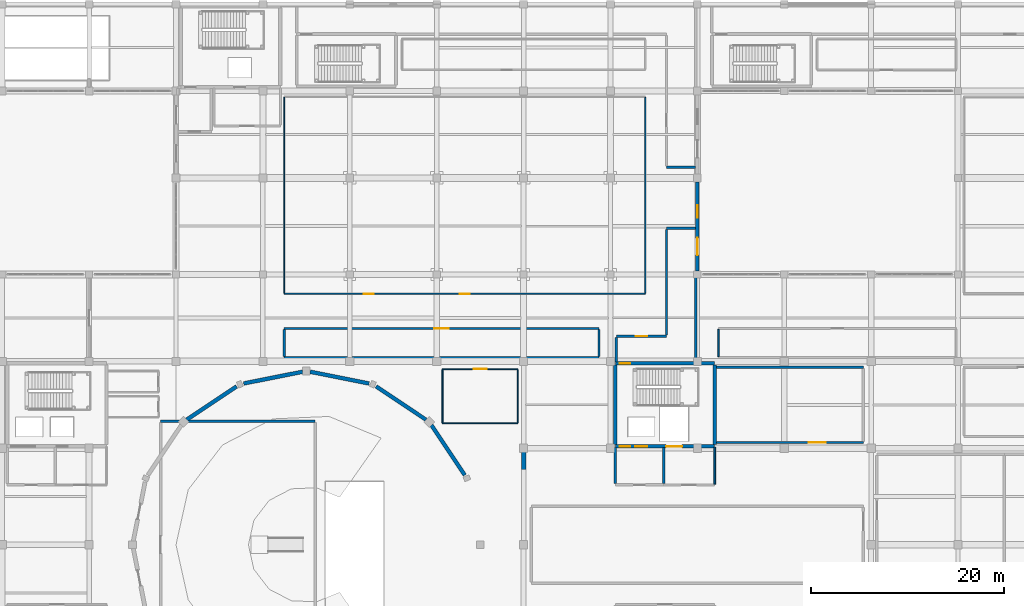
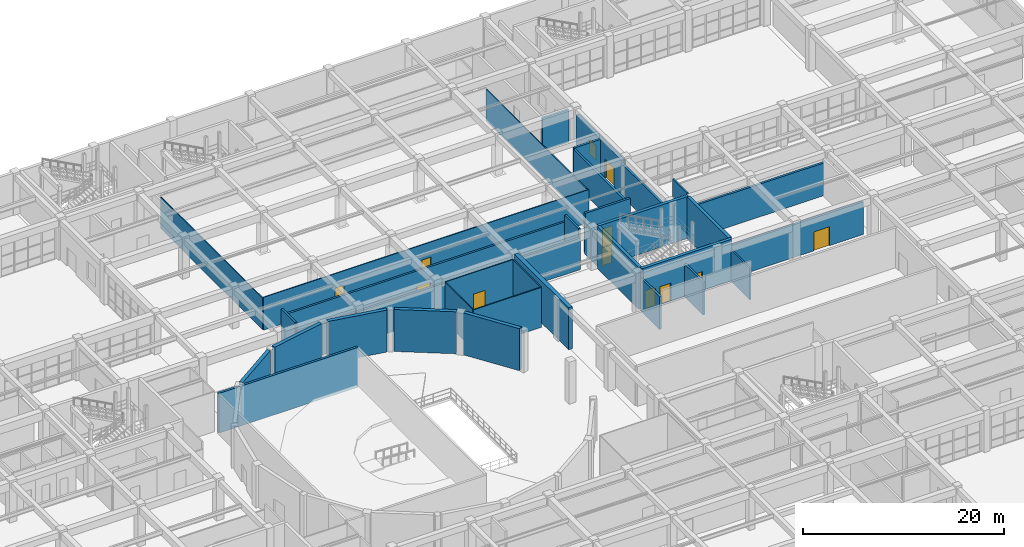
# One storey, part 108 of 128: 35 walls, 11 doors, 1 window, 12 openings.
"""IFC4 building model written with IfcOpenShell, lengths in metres."""

import ifcopenshell
import ifcopenshell.guid

model = None  # the IFC model being written
_history = None  # IfcOwnerHistory: only IFC2X3 demands one
_inside = {}  # id of a spatial element -> (the spatial element, [elements in it])
_under = {}  # id of a project, library or spatial element -> (it, [spatial elements below it])
_declared = {}  # id of a project -> (the project, [libraries it declares])
_typed = {}  # id of a type object -> (the type object, [elements of that type])
_made_of = {}  # id of a material, layer set ... -> (it, [elements and type objects made of it])


def new_model(schema):
    """Start an empty IFC model of exactly this schema.

    Asked for "IFC4X3", IfcOpenShell would pick the latest addendum, in which some entities
    have other attributes; the version numbers below select the first issue.
    IFC2X3 requires an IfcOwnerHistory on every rooted entity: one is made here for all.
    """
    global model, _history
    if schema == "IFC4X3":
        model = ifcopenshell.file(schema_version=(4, 3, 0, 0))
    else:
        model = ifcopenshell.file(schema=schema)
    _inside.clear()
    _under.clear()
    _declared.clear()
    _typed.clear()
    _made_of.clear()
    _history = None
    if model.schema == "IFC2X3":
        org = make("IfcOrganization", Name="unknown")
        user = make(
            "IfcPersonAndOrganization",
            ThePerson=make("IfcPerson", FamilyName="unknown"),
            TheOrganization=org,
        )
        app = make(
            "IfcApplication",
            ApplicationDeveloper=org,
            Version="unknown",
            ApplicationFullName="unknown",
            ApplicationIdentifier="unknown",
        )
        _history = make(
            "IfcOwnerHistory",
            OwningUser=user,
            OwningApplication=app,
            ChangeAction="ADDED",
            CreationDate=0,
        )
    return model


def make(cls, **values):
    """One entity of the class cls with the attributes given. An attribute that is None is left unset."""
    return model.create_entity(
        cls, **{name: value for name, value in values.items() if value is not None}
    )


def rooted(cls, **values):
    """An entity with a GlobalId (a new one), such as an element, a storey or a relation."""
    return make(cls, GlobalId=ifcopenshell.guid.new(), OwnerHistory=_history, **values)


def si_unit(unit_type, name, prefix=None):
    """IfcSIUnit, for example si_unit("LENGTHUNIT", "METRE", prefix="MILLI")."""
    return make("IfcSIUnit", UnitType=unit_type, Prefix=prefix, Name=name)


def assignment(units):
    """IfcUnitAssignment: the units of a project."""
    return None if units is None else make("IfcUnitAssignment", Units=units)


def point(xyz):
    """IfcCartesianPoint."""
    return None if xyz is None else make("IfcCartesianPoint", Coordinates=xyz)


def direction(xyz):
    """IfcDirection."""
    return None if xyz is None else make("IfcDirection", DirectionRatios=xyz)


def frame(location, z_axis=None, x_axis=None):
    """IfcAxis2Placement3D, a coordinate frame: its origin and axes. An axis left out is left unset."""
    return make(
        "IfcAxis2Placement3D",
        Location=point(location),
        Axis=direction(z_axis),
        RefDirection=direction(x_axis),
    )


def frame_2d(location, x_axis=None):
    """IfcAxis2Placement2D, a coordinate frame in the plane: its origin and x axis."""
    return make(
        "IfcAxis2Placement2D", Location=point(location), RefDirection=direction(x_axis)
    )


def origin():
    """The frame at (0, 0, 0) with its axes left unset."""
    return frame((0.0, 0.0, 0.0))


def place(relative_to, where):
    """IfcLocalPlacement: puts the frame where relative to a parent placement (None: the world)."""
    return make(
        "IfcLocalPlacement", PlacementRelTo=relative_to, RelativePlacement=where
    )


def context(
    kind, dimensions, precision=None, world=None, true_north=None, identifier=None
):
    """IfcGeometricRepresentationContext, for example the 3D "Model" context."""
    return make(
        "IfcGeometricRepresentationContext",
        ContextIdentifier=identifier,
        ContextType=kind,
        CoordinateSpaceDimension=dimensions,
        Precision=precision,
        WorldCoordinateSystem=world,
        TrueNorth=true_north,
    )


def subcontext(parent, identifier, kind, view, scale=None):
    """IfcGeometricRepresentationSubContext, for example "Body" below "Model"."""
    return make(
        "IfcGeometricRepresentationSubContext",
        ContextIdentifier=identifier,
        ContextType=kind,
        ParentContext=parent,
        TargetScale=scale,
        TargetView=view,
    )


def project(units=None, contexts=None):
    """IfcProject with its units and contexts."""
    return rooted(
        "IfcProject",
        Name="project",
        RepresentationContexts=contexts,
        UnitsInContext=assignment(units),
    )


def spatial(cls, under=None, at=None, **own):
    """A site, building, storey or space (cls), placed at a placement, below another one or the project."""
    s = rooted(cls, ObjectPlacement=at, **own)
    if under is not None:
        _under.setdefault(under.id(), (under, []))[1].append(s)
    return s


def profile(cls, at=None, kind="AREA", **sizes):
    """A parametric profile (cls). Its sizes go by their IFC names, for example OverallWidth=200.0."""
    return make(cls, ProfileType=kind, Position=at, **sizes)


def rectangle(**sizes):
    """IfcRectangleProfileDef."""
    return profile("IfcRectangleProfileDef", **sizes)


def extrude(swept, where, along, depth):
    """IfcExtrudedAreaSolid: the profile swept, set in the frame where, extruded along a direction by depth."""
    return make(
        "IfcExtrudedAreaSolid",
        SweptArea=swept,
        Position=where,
        ExtrudedDirection=direction(along),
        Depth=depth,
    )


def shape(context_of_items, identifier, shape_type, items):
    """IfcShapeRepresentation: the items that make up one representation, for example the "Body"."""
    return make(
        "IfcShapeRepresentation",
        ContextOfItems=context_of_items,
        RepresentationIdentifier=identifier,
        RepresentationType=shape_type,
        Items=items,
    )


def material(Name=None, Category=None):
    """IfcMaterial."""
    return make("IfcMaterial", Name=Name, Category=Category)


def layer(
    of_material, thickness, ventilated=None, Name=None, Category=None, Priority=None
):
    """IfcMaterialLayer: one layer of a wall or slab, of a material (None: an air gap)."""
    return make(
        "IfcMaterialLayer",
        Material=of_material,
        LayerThickness=thickness,
        IsVentilated=ventilated,
        Name=Name,
        Category=Category,
        Priority=Priority,
    )


def layer_set(layers, Name=None):
    """IfcMaterialLayerSet."""
    return make("IfcMaterialLayerSet", MaterialLayers=layers, LayerSetName=Name)


def made_of(thing, what):
    """Note that an element or type object is made of a material, layer set ...; save() writes the relation."""
    if what is not None:
        _made_of.setdefault(what.id(), (what, []))[1].append(thing)
    return thing


def type_object(cls, material=None, **own):
    """A type object (cls), such as IfcWallType, which elements share."""
    return made_of(rooted(cls, **own), material)


def element(
    cls,
    number,
    at=None,
    inside=None,
    cuts=None,
    type_object=None,
    material=None,
    context=None,
    identifier="Body",
    shape_type=None,
    held_by="IfcProductDefinitionShape",
    body=None,
    shapes=None,
    **own,
):
    """One element of the class cls, such as IfcWall. Its Tag is "e" and its number.

    at: its placement. inside: the storey or other place that contains it. cuts: it is an
    opening in that element (IfcRelVoidsElement). A single representation is given by context,
    identifier, shape_type and body (its items); several are given by shapes. held_by: the class
    of the entity that holds the representations. save() writes the other relations.
    """
    e = rooted(cls, Tag="e%d" % number, ObjectPlacement=at, **own)
    if body is not None:
        shapes = [shape(context, identifier, shape_type, body)]
    if shapes is not None:
        e.Representation = make(held_by, Representations=shapes)
    if inside is not None:
        _inside.setdefault(inside.id(), (inside, []))[1].append(e)
    if cuts is not None:
        rooted(
            "IfcRelVoidsElement", RelatingBuildingElement=cuts, RelatedOpeningElement=e
        )
    if type_object is not None:
        _typed.setdefault(type_object.id(), (type_object, []))[1].append(e)
    return made_of(e, material)


def fill(opening, filler):
    """IfcRelFillsElement: the door or window that sits in an opening."""
    return rooted(
        "IfcRelFillsElement",
        RelatingOpeningElement=opening,
        RelatedBuildingElement=filler,
    )


def aggregate(whole, parts):
    """IfcRelAggregates: a whole, such as a stair, and the parts it consists of."""
    return rooted("IfcRelAggregates", RelatingObject=whole, RelatedObjects=parts)


def save(model, path):
    """Write the relations noted so far, then the file.

    IfcRelAggregates (storeys below a building ...), IfcRelContainedInSpatialStructure (elements
    in a storey), IfcRelDefinesByType, IfcRelAssociatesMaterial and IfcRelDeclares: one each for
    every whole, place, type object, material and project.
    """
    for whole, parts in _under.values():
        aggregate(whole, parts)
    for where, things in _inside.values():
        rooted(
            "IfcRelContainedInSpatialStructure",
            RelatedElements=things,
            RelatingStructure=where,
        )
    for kind, things in _typed.values():
        rooted("IfcRelDefinesByType", RelatedObjects=things, RelatingType=kind)
    for what, things in _made_of.values():
        rooted("IfcRelAssociatesMaterial", RelatedObjects=things, RelatingMaterial=what)
    for by, libraries in _declared.values():
        rooted("IfcRelDeclares", RelatingContext=by, RelatedDefinitions=libraries)
    model.write(path)


model = new_model("IFC4")

# Units and contexts
model_context = context("Model", 3, precision=1e-05, world=origin(), true_north=direction((0.0, 1.0)))
body_context = subcontext(model_context, "Body", "Model", "MODEL_VIEW")
ifc_project = project(units=[si_unit("LENGTHUNIT", "METRE"), si_unit("AREAUNIT", "SQUARE_METRE"), si_unit("VOLUMEUNIT", "CUBIC_METRE"), si_unit("PLANEANGLEUNIT", "RADIAN"), si_unit("MASSUNIT", "GRAM", prefix="KILO")], contexts=[model_context])

# Site, building, storey
site_placement = place(None, origin())
site = spatial("IfcSite", under=ifc_project, at=site_placement, CompositionType="ELEMENT")
building_placement = place(site_placement, origin())
building = spatial("IfcBuilding", under=site, at=building_placement, Name="Miravela Opera House", CompositionType="ELEMENT")
storey_placement = place(building_placement, origin())
storey = spatial("IfcBuildingStorey", under=building, at=storey_placement, Name="L00", CompositionType="ELEMENT", Elevation=0.0)

# Wall, openings, door, window
ifc_material_1 = material(Name="Dark Guatemalan volcanic basalt stone ashlar", Category="masonry")
ifc_layer_1 = layer(ifc_material_1, 0.360107421875)
ifc_layer_set_1 = layer_set([ifc_layer_1])
wall_type_1 = type_object("IfcWallType", Name="ARC-EW-BASALT-360", PredefinedType="STANDARD", material=ifc_layer_set_1)
wall_1_placement = place(storey_placement, frame((117.0, 84.375, 0.0), z_axis=(0.0, 0.0, 1.0), x_axis=(0.0, 1.0, 0.0)))
wall_1 = element("IfcWall", 1, at=wall_1_placement, inside=storey, type_object=wall_type_1, Name="Stair ST-03 Northeast Court Exit Wall", PredefinedType="STANDARD", context=body_context, shape_type="SweptSolid", body=[
    extrude(rectangle(XDim=9.22509765625, YDim=0.360107421875, at=frame_2d((4.612548828125, 0.0))), origin(), (0.0, 0.0, 1.0), 4.179931640625),
])
opening_1_placement = place(wall_1_placement, frame((1.625, 0.0, 0.0)))
opening_1 = element("IfcOpeningElement", 2, at=opening_1_placement, cuts=wall_1, Name="Opening EX-02", PredefinedType="OPENING", context=body_context, shape_type="SweptSolid", body=[
    extrude(rectangle(XDim=1.800048828125, YDim=2.300048828125, at=frame_2d((0.89990234375, 1.14990234375))), frame((0.0, 0.18994140625, 0.0), z_axis=(0.0, -1.0, 0.0), x_axis=(1.0, 0.0, 0.0)), (0.0, 0.0, 1.0), 0.380126953125),
])
opening_2_placement = place(wall_1_placement, frame((5.47509765625, 0.0, 0.89990234375)))
opening_2 = element("IfcOpeningElement", 3, at=opening_2_placement, cuts=wall_1, Name="Opening W-30", PredefinedType="OPENING", context=body_context, shape_type="SweptSolid", body=[
    extrude(rectangle(XDim=1.300048828125, YDim=1.719970703125, at=frame_2d((0.64990234375, 0.85986328125))), frame((0.0, 0.18994140625, 0.0), z_axis=(0.0, -1.0, 0.0), x_axis=(1.0, 0.0, 0.0)), (0.0, 0.0, 1.0), 0.380126953125),
])
ifc_material_2 = material(Name="Anodised architectural bronze aluminium 6063-T6", Category="aluminium")
door_type_1 = type_object("IfcDoorType", Name="ARC-EXD-1800X2300", OperationType="NOTDEFINED", PredefinedType="DOOR", material=ifc_material_2)
door_1_placement = place(opening_1_placement, frame((1.800048828125, 0.0, 0.0), z_axis=(0.0, 0.0, 1.0), x_axis=(-1.0, 0.0, 0.0)))
door_1 = element("IfcDoor", 4, at=door_1_placement, inside=storey, type_object=door_type_1, Name="Stair ST-03 Northeast Court Exit EXD-L00-026", OperationType="DOUBLE_DOOR_SINGLE_SWING", OverallHeight=2.300048828125, OverallWidth=1.800048828125, PredefinedType="DOOR", context=body_context, shape_type="SweptSolid", body=[
    extrude(rectangle(XDim=1.800048828125, YDim=2.300048828125, at=frame_2d((0.89990234375, 1.14990234375))), frame((0.0, 0.02490234375, 0.0), z_axis=(0.0, -1.0, 0.0), x_axis=(1.0, 0.0, 0.0)), (0.0, 0.0, 1.0), 0.050048828125),
])
fill(opening_1, door_1)
ifc_material_3 = material(Name="Bronze-anodised aluminium and acoustic low-E glass", Category="aluminium")
window_type = type_object("IfcWindowType", Name="ARC-WIN-30", PartitioningType="SINGLE_PANEL", PredefinedType="WINDOW", material=ifc_material_3)
window_placement = place(opening_2_placement, origin())
window = element("IfcWindow", 5, at=window_placement, inside=storey, type_object=window_type, Name="Window W-30 #021", OverallHeight=1.719970703125, OverallWidth=1.300048828125, PartitioningType="SINGLE_PANEL", PredefinedType="WINDOW", context=body_context, shape_type="SweptSolid", body=[
    extrude(rectangle(XDim=1.300048828125, YDim=1.719970703125, at=frame_2d((0.64990234375, 0.85986328125))), frame((0.0, 0.030029296875, 0.0), z_axis=(0.0, -1.0, 0.0), x_axis=(1.0, 0.0, 0.0)), (0.0, 0.0, 1.0), 0.06005859375),
])
fill(opening_2, window)

# Wall, openings, doors
ifc_material_4 = material(Name="Double-layer acoustic gypsum partition")
ifc_layer_2 = layer(ifc_material_4, 0.110107421875)
ifc_layer_set_2 = layer_set([ifc_layer_2])
wall_type_2 = type_object("IfcWallType", Name="ARC-PT-110", PredefinedType="PARTITIONING", material=ifc_layer_set_2)
wall_2_placement = place(storey_placement, frame((74.199951171875, 82.0, 0.0), z_axis=(0.0, 0.0, 1.0), x_axis=(1.0, 0.0, 0.0)))
wall_2 = element("IfcWall", 6, at=wall_2_placement, inside=storey, type_object=wall_type_2, Name="Production Rehearsal Stage Partition South", PredefinedType="PARTITIONING", context=body_context, shape_type="SweptSolid", body=[
    extrude(rectangle(XDim=37.400146484375, YDim=0.110107421875, at=frame_2d((18.7001953125, 0.0))), origin(), (0.0, 0.0, 1.0), 3.97998046875),
])
opening_3_placement = place(wall_2_placement, frame((18.179931640625, 0.0, 0.0)))
opening_3 = element("IfcOpeningElement", 7, at=opening_3_placement, cuts=wall_2, Name="Opening ID-17", PredefinedType="OPENING", context=body_context, shape_type="SweptSolid", body=[
    extrude(rectangle(XDim=1.0400390625, YDim=2.139892578125, at=frame_2d((0.52001953125, 1.06982421875))), frame((0.0, 0.06494140625, 0.0), z_axis=(0.0, -1.0, 0.0), x_axis=(1.0, 0.0, 0.0)), (0.0, 0.0, 1.0), 0.130126953125),
])
opening_4_placement = place(wall_2_placement, frame((8.22802734375, 0.0, 0.0)))
opening_4 = element("IfcOpeningElement", 8, at=opening_4_placement, cuts=wall_2, Name="Opening ID-18", PredefinedType="OPENING", context=body_context, shape_type="SweptSolid", body=[
    extrude(rectangle(XDim=1.0400390625, YDim=2.219970703125, at=frame_2d((0.52001953125, 1.10986328125))), frame((0.0, 0.06494140625, 0.0), z_axis=(0.0, -1.0, 0.0), x_axis=(1.0, 0.0, 0.0)), (0.0, 0.0, 1.0), 0.130126953125),
])
ifc_material_5 = material(Name="Hardwood acoustic timber door leaf", Category="wood")
door_type_2 = type_object("IfcDoorType", Name="ARC-IDR-104X214", OperationType="NOTDEFINED", PredefinedType="DOOR", material=ifc_material_5)
door_2_placement = place(opening_3_placement, frame((1.0400390625, 0.0, 0.0), z_axis=(0.0, 0.0, 1.0), x_axis=(-1.0, 0.0, 0.0)))
door_2 = element("IfcDoor", 9, at=door_2_placement, inside=storey, type_object=door_type_2, Name="Production Rehearsal Stage Entry Door IDR-L00-0116", OperationType="SINGLE_SWING_LEFT", OverallHeight=2.139892578125, OverallWidth=1.0400390625, PredefinedType="DOOR", context=body_context, shape_type="SweptSolid", body=[
    extrude(rectangle(XDim=1.0400390625, YDim=2.139892578125, at=frame_2d((0.52001953125, 1.06982421875))), frame((0.0, 0.02490234375, 0.0), z_axis=(0.0, -1.0, 0.0), x_axis=(1.0, 0.0, 0.0)), (0.0, 0.0, 1.0), 0.050048828125),
])
fill(opening_3, door_2)
door_type_3 = type_object("IfcDoorType", Name="ARC-IDR-104X222", OperationType="NOTDEFINED", PredefinedType="DOOR", material=ifc_material_5)
door_3_placement = place(opening_4_placement, frame((1.0400390625, 0.0, 0.0), z_axis=(0.0, 0.0, 1.0), x_axis=(-1.0, 0.0, 0.0)))
door_3 = element("IfcDoor", 10, at=door_3_placement, inside=storey, type_object=door_type_3, Name="Production Rehearsal Stage Secondary Exit Door IDR-L00-0117", OperationType="SINGLE_SWING_RIGHT", OverallHeight=2.219970703125, OverallWidth=1.0400390625, PredefinedType="DOOR", context=body_context, shape_type="SweptSolid", body=[
    extrude(rectangle(XDim=1.0400390625, YDim=2.219970703125, at=frame_2d((0.52001953125, 1.10986328125))), frame((0.0, 0.02490234375, 0.0), z_axis=(0.0, -1.0, 0.0), x_axis=(1.0, 0.0, 0.0)), (0.0, 0.0, 1.0), 0.050048828125),
])
fill(opening_4, door_3)

# Walls
for number, where, z_axis, x_axis, name in (
    (11, (74.199951171875, 82.054931640625, 0.0), (0.0, 0.0, 1.0), (0.0, 1.0, 0.0), "Production Rehearsal Stage Partition West"),
    (12, (111.60009765625, 82.054931640625, 0.0), (0.0, 0.0, 1.0), (0.0, 1.0, 0.0), "Production Rehearsal Stage Partition East"),
):
    element("IfcWall", number, at=place(storey_placement, frame(where, z_axis=z_axis, x_axis=x_axis)), inside=storey, type_object=wall_type_2, Name=name, PredefinedType="PARTITIONING", context=body_context, shape_type="SweptSolid", body=[
        extrude(rectangle(XDim=20.2900390625, YDim=0.110107421875, at=frame_2d((10.14501953125, 0.0))), origin(), (0.0, 0.0, 1.0), 3.830078125),
    ])
wall_3_placement = place(storey_placement, frame((90.60009765625, 68.60009765625, 0.0), z_axis=(0.0, 0.0, 1.0), x_axis=(1.0, 0.0, 0.0)))
element("IfcWall", 13, at=wall_3_placement, inside=storey, type_object=wall_type_2, Name="Orchestral Harp and Celesta Studio Partition South", PredefinedType="PARTITIONING", context=body_context, shape_type="SweptSolid", body=[
    extrude(rectangle(XDim=7.7998046875, YDim=0.110107421875, at=frame_2d((3.89990234375, 0.0))), origin(), (0.0, 0.0, 1.0), 4.85009765625),
])

# Wall, opening, door
wall_4_placement = place(storey_placement, frame((90.60009765625, 74.199951171875, 0.0), z_axis=(0.0, 0.0, 1.0), x_axis=(1.0, 0.0, 0.0)))
wall_4 = element("IfcWall", 14, at=wall_4_placement, inside=storey, type_object=wall_type_2, Name="Orchestral Harp and Celesta Studio Partition North", PredefinedType="PARTITIONING", context=body_context, shape_type="SweptSolid", body=[
    extrude(rectangle(XDim=7.7998046875, YDim=0.110107421875, at=frame_2d((3.89990234375, 0.0))), origin(), (0.0, 0.0, 1.0), 4.85009765625),
])
opening_5_placement = place(wall_4_placement, frame((3.239990234375, 0.0, 0.0)))
opening_5 = element("IfcOpeningElement", 15, at=opening_5_placement, cuts=wall_4, Name="Opening ID-33", PredefinedType="OPENING", context=body_context, shape_type="SweptSolid", body=[
    extrude(rectangle(XDim=1.320068359375, YDim=2.219970703125, at=frame_2d((0.66015625, 1.10986328125))), frame((0.0, 0.06494140625, 0.0), z_axis=(0.0, -1.0, 0.0), x_axis=(1.0, 0.0, 0.0)), (0.0, 0.0, 1.0), 0.130126953125),
])
door_type_4 = type_object("IfcDoorType", Name="ARC-IDR-132X222", OperationType="NOTDEFINED", PredefinedType="DOOR", material=ifc_material_5)
door_4_placement = place(opening_5_placement, frame((1.320068359375, 0.0, 0.0), z_axis=(0.0, 0.0, 1.0), x_axis=(-1.0, 0.0, 0.0)))
door_4 = element("IfcDoor", 16, at=door_4_placement, inside=storey, type_object=door_type_4, Name="Orchestral Harp and Celesta Studio Entry Door IDR-L00-0136", OperationType="SINGLE_SWING_LEFT", OverallHeight=2.219970703125, OverallWidth=1.320068359375, PredefinedType="DOOR", context=body_context, shape_type="SweptSolid", body=[
    extrude(rectangle(XDim=1.320068359375, YDim=2.219970703125, at=frame_2d((0.66015625, 1.10986328125))), frame((0.0, 0.02490234375, 0.0), z_axis=(0.0, -1.0, 0.0), x_axis=(1.0, 0.0, 0.0)), (0.0, 0.0, 1.0), 0.050048828125),
])
fill(opening_5, door_4)

# Walls
for number, where, z_axis, x_axis, name in (
    (17, (90.60009765625, 68.655029296875, 0.0), (0.0, 0.0, 1.0), (0.0, 1.0, 0.0), "Orchestral Harp and Celesta Studio Partition West"),
    (18, (98.39990234375, 68.655029296875, 0.0), (0.0, 0.0, 1.0), (0.0, 1.0, 0.0), "Orchestral Harp and Celesta Studio Partition East"),
):
    element("IfcWall", number, at=place(storey_placement, frame(where, z_axis=z_axis, x_axis=x_axis)), inside=storey, type_object=wall_type_2, Name=name, PredefinedType="PARTITIONING", context=body_context, shape_type="SweptSolid", body=[
        extrude(rectangle(XDim=5.489990234375, YDim=0.110107421875, at=frame_2d((2.7451171875, 0.0))), origin(), (0.0, 0.0, 1.0), 4.85009765625),
    ])
ifc_material_6 = material(Name="Rehearsal isolated acoustic partition")
ifc_layer_3 = layer(ifc_material_6, 0.169921875)
ifc_layer_set_3 = layer_set([ifc_layer_3])
wall_type_3 = type_object("IfcWallType", Name="ARC-PT-170", PredefinedType="PARTITIONING", material=ifc_layer_set_3)
wall_5_placement = place(storey_placement, frame((118.800048828125, 62.284912109375, 0.0), z_axis=(0.0, 0.0, 1.0), x_axis=(0.0, 1.0, 0.0)))
element("IfcWall", 19, at=wall_5_placement, inside=storey, type_object=wall_type_3, Name="Passenger Lift Lobby K3 L00 Partition East", PredefinedType="PARTITIONING", context=body_context, shape_type="SweptSolid", body=[
    extrude(rectangle(XDim=3.830078125, YDim=0.169921875, at=frame_2d((1.9150390625, 0.0))), origin(), (0.0, 0.0, 1.0), 3.830078125),
])
wall_6_placement = place(storey_placement, frame((119.199951171875, 75.485107421875, 0.0), z_axis=(0.0, 0.0, 1.0), x_axis=(0.0, 1.0, 0.0)))
element("IfcWall", 20, at=wall_6_placement, inside=storey, type_object=wall_type_3, Name="Stage Electronics and Lighting Workshop Partition West", PredefinedType="PARTITIONING", context=body_context, shape_type="SweptSolid", body=[
    extrude(rectangle(XDim=2.829833984375, YDim=0.169921875, at=frame_2d((1.4150390625, 0.0))), origin(), (0.0, 0.0, 1.0), 4.85009765625),
])
ifc_material_7 = material(Name="High-STC auditorium lobby partition")
ifc_layer_4 = layer(ifc_material_7, 0.22998046875)
ifc_layer_set_4 = layer_set([ifc_layer_4])
wall_type_4 = type_object("IfcWallType", Name="ARC-PT-205", PredefinedType="PARTITIONING", material=ifc_layer_set_4)
wall_7_placement = place(storey_placement, frame((74.199951171875, 75.39990234375, 0.0), z_axis=(0.0, 0.0, 1.0), x_axis=(1.0, 0.0, 0.0)))
element("IfcWall", 21, at=wall_7_placement, inside=storey, type_object=wall_type_4, Name="Orchestral Instrument Luthier Workshop Partition South", PredefinedType="PARTITIONING", context=body_context, shape_type="SweptSolid", body=[
    extrude(rectangle(XDim=32.60009765625, YDim=0.22998046875, at=frame_2d((16.300048828125, 0.0))), origin(), (0.0, 0.0, 1.0), 3.830078125),
])

# Wall, opening, door
wall_8_placement = place(storey_placement, frame((74.199951171875, 78.39990234375, 0.0), z_axis=(0.0, 0.0, 1.0), x_axis=(1.0, 0.0, 0.0)))
wall_8 = element("IfcWall", 22, at=wall_8_placement, inside=storey, type_object=wall_type_4, Name="Orchestral Instrument Luthier Workshop Partition North", PredefinedType="PARTITIONING", context=body_context, shape_type="SweptSolid", body=[
    extrude(rectangle(XDim=32.60009765625, YDim=0.22998046875, at=frame_2d((16.300048828125, 0.0))), origin(), (0.0, 0.0, 1.0), 3.97998046875),
])
opening_6_placement = place(wall_8_placement, frame((15.530029296875, 0.0, 0.0)))
opening_6 = element("IfcOpeningElement", 23, at=opening_6_placement, cuts=wall_8, Name="Opening ID-40", PredefinedType="OPENING", context=body_context, shape_type="SweptSolid", body=[
    extrude(rectangle(XDim=1.5400390625, YDim=2.080078125, at=frame_2d((0.77001953125, 1.0400390625))), frame((0.0, 0.125, 0.0), z_axis=(0.0, -1.0, 0.0), x_axis=(1.0, 0.0, 0.0)), (0.0, 0.0, 1.0), 0.25),
])
door_type_5 = type_object("IfcDoorType", Name="ARC-IDR-154X208", OperationType="NOTDEFINED", PredefinedType="DOOR", material=ifc_material_5)
door_5_placement = place(opening_6_placement, origin())
door_5 = element("IfcDoor", 24, at=door_5_placement, inside=storey, type_object=door_type_5, Name="Orchestral Instrument Luthier Workshop Entry Door IDR-L00-0143", OperationType="DOUBLE_DOOR_SINGLE_SWING", OverallHeight=2.080078125, OverallWidth=1.5400390625, PredefinedType="DOOR", context=body_context, shape_type="SweptSolid", body=[
    extrude(rectangle(XDim=1.5400390625, YDim=2.080078125, at=frame_2d((0.77001953125, 1.0400390625))), frame((0.0, 0.02490234375, 0.0), z_axis=(0.0, -1.0, 0.0), x_axis=(1.0, 0.0, 0.0)), (0.0, 0.0, 1.0), 0.050048828125),
])
fill(opening_6, door_5)

# Walls
for number, where, z_axis, x_axis, name in (
    (25, (74.199951171875, 75.514892578125, 0.0), (0.0, 0.0, 1.0), (0.0, 1.0, 0.0), "Orchestral Instrument Luthier Workshop Partition West"),
    (26, (106.800048828125, 75.514892578125, 0.0), (0.0, 0.0, 1.0), (0.0, 1.0, 0.0), "Orchestral Instrument Luthier Workshop Partition East"),
):
    element("IfcWall", number, at=place(storey_placement, frame(where, z_axis=z_axis, x_axis=x_axis)), inside=storey, type_object=wall_type_4, Name=name, PredefinedType="PARTITIONING", context=body_context, shape_type="SweptSolid", body=[
        extrude(rectangle(XDim=2.77001953125, YDim=0.22998046875, at=frame_2d((1.385009765625, 0.0))), origin(), (0.0, 0.0, 1.0), 4.85009765625),
    ])
ifc_material_8 = material(Name="Firefighting lobby compartment wall")
ifc_layer_5 = layer(ifc_material_8, 0.25)
ifc_layer_set_5 = layer_set([ifc_layer_5])
wall_type_5 = type_object("IfcWallType", Name="ARC-PT-220", PredefinedType="PARTITIONING", material=ifc_layer_set_5)
for number, where, z_axis, x_axis, name in (
    (27, (108.5, 62.324951171875, 0.0), (0.0, 0.0, 1.0), (0.0, 1.0, 0.0), "Firefighting Lobby K3 L00 Partition West"),
    (28, (113.5, 62.324951171875, 0.0), (0.0, 0.0, 1.0), (0.0, 1.0, 0.0), "Firefighting Lobby K3 L00 Partition East"),
):
    element("IfcWall", number, at=place(storey_placement, frame(where, z_axis=z_axis, x_axis=x_axis)), inside=storey, type_object=wall_type_5, Name=name, PredefinedType="PARTITIONING", context=body_context, shape_type="SweptSolid", body=[
        extrude(rectangle(XDim=3.75, YDim=0.25, at=frame_2d((1.875, 0.0))), origin(), (0.0, 0.0, 1.0), 3.97998046875),
    ])
wall_9_placement = place(storey_placement, frame((61.39990234375, 68.800048828125, 0.0), z_axis=(0.0, 0.0, 1.0), x_axis=(1.0, 0.0, 0.0)))
element("IfcWall", 29, at=wall_9_placement, inside=storey, type_object=wall_type_5, Name="Main Opera Auditorium Stalls Partition North", PredefinedType="PARTITIONING", context=body_context, shape_type="SweptSolid", body=[
    extrude(rectangle(XDim=16.0, YDim=0.25, at=frame_2d((8.0, 0.0))), origin(), (0.0, 0.0, 1.0), 4.85009765625),
])

# Wall, opening, door
wall_10_placement = place(storey_placement, frame((118.97509765625, 66.60009765625, 0.0), z_axis=(0.0, 0.0, 1.0), x_axis=(1.0, 0.0, 0.0)))
wall_10 = element("IfcWall", 30, at=wall_10_placement, inside=storey, type_object=wall_type_5, Name="North Side Stage Partition South", PredefinedType="PARTITIONING", context=body_context, shape_type="SweptSolid", body=[
    extrude(rectangle(XDim=15.224853515625, YDim=0.25, at=frame_2d((7.6123046875, 0.0))), origin(), (0.0, 0.0, 1.0), 3.97998046875),
])
opening_7_placement = place(wall_10_placement, frame((9.544189453125, 0.0, 0.0)))
opening_7 = element("IfcOpeningElement", 31, at=opening_7_placement, cuts=wall_10, Name="Opening FD-05", PredefinedType="OPENING", context=body_context, shape_type="SweptSolid", body=[
    extrude(rectangle(XDim=1.800048828125, YDim=2.300048828125, at=frame_2d((0.89990234375, 1.14990234375))), frame((0.0, 0.135009765625, 0.0), z_axis=(0.0, -1.0, 0.0), x_axis=(1.0, 0.0, 0.0)), (0.0, 0.0, 1.0), 0.27001953125),
])
ifc_material_9 = material(Name="Heavy acoustic EI 120 stage/auditorium pair")
door_type_6 = type_object("IfcDoorType", Name="ARC-FD-1800X2300", OperationType="NOTDEFINED", PredefinedType="DOOR", material=ifc_material_9)
door_6_placement = place(opening_7_placement, origin())
door_6 = element("IfcDoor", 32, at=door_6_placement, inside=storey, type_object=door_type_6, Name="North Side Stage Entry Door IDR-L00-0102", OperationType="DOUBLE_DOOR_SINGLE_SWING", OverallHeight=2.300048828125, OverallWidth=1.800048828125, PredefinedType="DOOR", context=body_context, shape_type="SweptSolid", body=[
    extrude(rectangle(XDim=1.800048828125, YDim=2.300048828125, at=frame_2d((0.89990234375, 1.14990234375))), frame((0.0, 0.02490234375, 0.0), z_axis=(0.0, -1.0, 0.0), x_axis=(1.0, 0.0, 0.0)), (0.0, 0.0, 1.0), 0.050048828125),
])
fill(opening_7, door_6)

# Walls
wall_11_placement = place(storey_placement, frame((118.97509765625, 74.39990234375, 0.0), z_axis=(0.0, 0.0, 1.0), x_axis=(1.0, 0.0, 0.0)))
element("IfcWall", 33, at=wall_11_placement, inside=storey, type_object=wall_type_5, Name="North Side Stage Partition North", PredefinedType="PARTITIONING", context=body_context, shape_type="SweptSolid", body=[
    extrude(rectangle(XDim=15.224853515625, YDim=0.25, at=frame_2d((7.6123046875, 0.0))), origin(), (0.0, 0.0, 1.0), 3.97998046875),
])
wall_12_placement = place(storey_placement, frame((116.820068359375, 74.925048828125, 0.0), z_axis=(0.0, 0.0, 1.0), x_axis=(0.0, 1.0, 0.0)))
element("IfcWall", 34, at=wall_12_placement, inside=storey, type_object=wall_type_5, Name="Protected Exit Passageway ST-03 Partition Seg2", PredefinedType="PARTITIONING", context=body_context, shape_type="SweptSolid", body=[
    extrude(rectangle(XDim=9.449951171875, YDim=0.25, at=frame_2d((4.72509765625, 0.0))), origin(), (0.0, 0.0, 1.0), 3.929931640625),
])
wall_13_placement = place(storey_placement, frame((116.820068359375, 88.800048828125, 0.0), z_axis=(0.0, 0.0, 1.0), x_axis=(-1.0, 0.0, 0.0)))
element("IfcWall", 35, at=wall_13_placement, inside=storey, type_object=wall_type_5, Name="Protected Exit Passageway ST-03 Partition Seg3", PredefinedType="PARTITIONING", context=body_context, shape_type="SweptSolid", body=[
    extrude(rectangle(XDim=3.02001953125, YDim=0.25, at=frame_2d((1.510009765625, 0.0))), origin(), (0.0, 0.0, 1.0), 4.179931640625),
])
wall_14_placement = place(storey_placement, frame((113.800048828125, 88.675048828125, 0.0), z_axis=(0.0, 0.0, 1.0), x_axis=(0.0, -1.0, 0.0)))
element("IfcWall", 36, at=wall_14_placement, inside=storey, type_object=wall_type_5, Name="Protected Exit Passageway ST-03 Partition Seg4", PredefinedType="PARTITIONING", context=body_context, shape_type="SweptSolid", body=[
    extrude(rectangle(XDim=10.949951171875, YDim=0.25, at=frame_2d((5.47509765625, 0.0))), origin(), (0.0, 0.0, 1.0), 4.080078125),
])

# Wall, opening, door
wall_15_placement = place(storey_placement, frame((113.800048828125, 77.60009765625, 0.0), z_axis=(0.0, 0.0, 1.0), x_axis=(-1.0, 0.0, 0.0)))
wall_15 = element("IfcWall", 37, at=wall_15_placement, inside=storey, type_object=wall_type_5, Name="Protected Exit Passageway ST-03 Partition Seg5", PredefinedType="PARTITIONING", context=body_context, shape_type="SweptSolid", body=[
    extrude(rectangle(XDim=5.199951171875, YDim=0.25, at=frame_2d((2.60009765625, 0.0))), origin(), (0.0, 0.0, 1.0), 4.85009765625),
])
opening_8_placement = place(wall_15_placement, frame((2.0, 0.0, 0.0)))
opening_8 = element("IfcOpeningElement", 38, at=opening_8_placement, cuts=wall_15, Name="Opening FD-02", PredefinedType="OPENING", context=body_context, shape_type="SweptSolid", body=[
    extrude(rectangle(XDim=1.199951171875, YDim=2.199951171875, at=frame_2d((0.60009765625, 1.10009765625))), frame((0.0, 0.135009765625, 0.0), z_axis=(0.0, -1.0, 0.0), x_axis=(1.0, 0.0, 0.0)), (0.0, 0.0, 1.0), 0.27001953125),
])
ifc_material_10 = material(Name="Fire-rated gallery/plant exit door")
door_type_7 = type_object("IfcDoorType", Name="ARC-FD-1200X2200", OperationType="NOTDEFINED", PredefinedType="DOOR", material=ifc_material_10)
door_7_placement = place(opening_8_placement, frame((1.199951171875, 0.0, 0.0), z_axis=(0.0, 0.0, 1.0), x_axis=(-1.0, 0.0, 0.0)))
door_7 = element("IfcDoor", 39, at=door_7_placement, inside=storey, type_object=door_type_7, Name="Protected Exit Passageway ST-03 Concourse Fire Door IDR-L00-0144", OperationType="SINGLE_SWING_RIGHT", OverallHeight=2.199951171875, OverallWidth=1.199951171875, PredefinedType="DOOR", context=body_context, shape_type="SweptSolid", body=[
    extrude(rectangle(XDim=1.199951171875, YDim=2.199951171875, at=frame_2d((0.60009765625, 1.10009765625))), frame((0.0, 0.02490234375, 0.0), z_axis=(0.0, -1.0, 0.0), x_axis=(1.0, 0.0, 0.0)), (0.0, 0.0, 1.0), 0.050048828125),
])
fill(opening_8, door_7)

# Walls
wall_16_placement = place(storey_placement, frame((108.60009765625, 77.47509765625, 0.0), z_axis=(0.0, 0.0, 1.0), x_axis=(0.0, -1.0, 0.0)))
element("IfcWall", 40, at=wall_16_placement, inside=storey, type_object=wall_type_5, Name="Protected Exit Passageway ST-03 Partition Seg6", PredefinedType="PARTITIONING", context=body_context, shape_type="SweptSolid", body=[
    extrude(rectangle(XDim=2.550048828125, YDim=0.25, at=frame_2d((1.27490234375, 0.0))), origin(), (0.0, 0.0, 1.0), 3.929931640625),
])
wall_17_placement = place(storey_placement, frame((113.800048828125, 95.10009765625, 0.0), z_axis=(0.0, 0.0, 1.0), x_axis=(1.0, 0.0, 0.0)))
element("IfcWall", 41, at=wall_17_placement, inside=storey, type_object=wall_type_5, Name="Protected Exit Passageway ST-07 Partition Seg3", PredefinedType="PARTITIONING", context=body_context, shape_type="SweptSolid", body=[
    extrude(rectangle(XDim=3.02001953125, YDim=0.25, at=frame_2d((1.510009765625, 0.0))), origin(), (0.0, 0.0, 1.0), 3.97998046875),
])

# Wall, openings, doors
ifc_material_11 = material(Name="Concrete C40/50", Category="concrete")
ifc_layer_6 = layer(ifc_material_11, 0.35009765625)
ifc_layer_set_6 = layer_set([ifc_layer_6])
wall_type_6 = type_object("IfcWallType", Name="STR-WALL-CORE-350", PredefinedType="SHEAR", material=ifc_layer_set_6)
wall_18_placement = place(storey_placement, frame((108.5, 66.199951171875, 0.0), z_axis=(0.0, 0.0, 1.0), x_axis=(1.0, 0.0, 0.0)))
wall_18 = element("IfcWall", 42, at=wall_18_placement, inside=storey, type_object=wall_type_6, Name="Core K3 Shear Wall South (L00)", PredefinedType="SHEAR", context=body_context, shape_type="SweptSolid", body=[
    extrude(rectangle(XDim=10.300048828125, YDim=0.35009765625, at=frame_2d((5.14990234375, 0.0))), origin(), (0.0, 0.0, 1.0), 5.10009765625),
])
opening_9_placement = place(wall_18_placement, frame((0.449951171875, 0.0, 0.0)))
opening_9 = element("IfcOpeningElement", 43, at=opening_9_placement, cuts=wall_18, Name="Opening FD-01", PredefinedType="OPENING", context=body_context, shape_type="SweptSolid", body=[
    extrude(rectangle(XDim=1.10009765625, YDim=2.199951171875, at=frame_2d((0.550048828125, 1.10009765625))), frame((0.0, 0.18505859375, 0.0), z_axis=(0.0, -1.0, 0.0), x_axis=(1.0, 0.0, 0.0)), (0.0, 0.0, 1.0), 0.3701171875),
])
opening_10_placement = place(wall_18_placement, frame((2.090087890625, 0.0, 0.0)))
opening_10 = element("IfcOpeningElement", 44, at=opening_10_placement, cuts=wall_18, Name="Opening LD-01", PredefinedType="OPENING", context=body_context, shape_type="SweptSolid", body=[
    extrude(rectangle(XDim=1.219970703125, YDim=2.199951171875, at=frame_2d((0.60986328125, 1.10009765625))), frame((0.0, 0.18505859375, 0.0), z_axis=(0.0, -1.0, 0.0), x_axis=(1.0, 0.0, 0.0)), (0.0, 0.0, 1.0), 0.3701171875),
])
opening_11_placement = place(wall_18_placement, frame((5.27490234375, 0.0, 0.0)))
opening_11 = element("IfcOpeningElement", 45, at=opening_11_placement, cuts=wall_18, Name="Opening LD-03", PredefinedType="OPENING", context=body_context, shape_type="SweptSolid", body=[
    extrude(rectangle(XDim=1.64990234375, YDim=2.340087890625, at=frame_2d((0.824951171875, 1.169921875))), frame((0.0, 0.18505859375, 0.0), z_axis=(0.0, -1.0, 0.0), x_axis=(1.0, 0.0, 0.0)), (0.0, 0.0, 1.0), 0.3701171875),
])
ifc_material_12 = material(Name="Fire-rated steel/hardwood exit stair door", Category="steel")
door_type_8 = type_object("IfcDoorType", Name="ARC-FD-1100X2200", OperationType="NOTDEFINED", PredefinedType="DOOR", material=ifc_material_12)
door_8_placement = place(opening_9_placement, origin())
door_8 = element("IfcDoor", 46, at=door_8_placement, inside=storey, type_object=door_type_8, Name="Exit Stair ST-03 Rated Door (L00) IDR-L00-0016", OperationType="SINGLE_SWING_RIGHT", OverallHeight=2.199951171875, OverallWidth=1.10009765625, PredefinedType="DOOR", context=body_context, shape_type="SweptSolid", body=[
    extrude(rectangle(XDim=1.10009765625, YDim=2.199951171875, at=frame_2d((0.550048828125, 1.10009765625))), frame((0.0, 0.02490234375, 0.0), z_axis=(0.0, -1.0, 0.0), x_axis=(1.0, 0.0, 0.0)), (0.0, 0.0, 1.0), 0.050048828125),
])
fill(opening_9, door_8)
ifc_material_13 = material(Name="Brushed stainless and bronze fire-rated lift landing door")
door_type_9 = type_object("IfcDoorType", Name="ARC-LD-FFL-1200X2200", OperationType="SLIDING_TO_LEFT", PredefinedType="DOOR", material=ifc_material_13)
door_9_placement = place(opening_10_placement, origin())
door_9 = element("IfcDoor", 47, at=door_9_placement, inside=storey, type_object=door_type_9, Name="Lift Landing Door FFL-02 (L00)", OperationType="SLIDING_TO_LEFT", OverallHeight=2.199951171875, OverallWidth=1.219970703125, PredefinedType="DOOR", context=body_context, shape_type="SweptSolid", body=[
    extrude(rectangle(XDim=1.219970703125, YDim=2.199951171875, at=frame_2d((0.60986328125, 1.10009765625))), frame((0.0, 0.02490234375, 0.0), z_axis=(0.0, -1.0, 0.0), x_axis=(1.0, 0.0, 0.0)), (0.0, 0.0, 1.0), 0.050048828125),
])
fill(opening_10, door_9)
door_type_10 = type_object("IfcDoorType", Name="ARC-LD-FRT-1650X2350", OperationType="SLIDING_TO_LEFT", PredefinedType="DOOR", material=ifc_material_13)
door_10_placement = place(opening_11_placement, origin())
door_10 = element("IfcDoor", 48, at=door_10_placement, inside=storey, type_object=door_type_10, Name="Lift Landing Door FL-01 (L00)", OperationType="SLIDING_TO_LEFT", OverallHeight=2.340087890625, OverallWidth=1.64990234375, PredefinedType="DOOR", context=body_context, shape_type="SweptSolid", body=[
    extrude(rectangle(XDim=1.64990234375, YDim=2.340087890625, at=frame_2d((0.824951171875, 1.169921875))), frame((0.0, 0.02490234375, 0.0), z_axis=(0.0, -1.0, 0.0), x_axis=(1.0, 0.0, 0.0)), (0.0, 0.0, 1.0), 0.050048828125),
])
fill(opening_11, door_10)

# Wall, opening, door
wall_19_placement = place(storey_placement, frame((108.5, 74.800048828125, 0.0), z_axis=(0.0, 0.0, 1.0), x_axis=(1.0, 0.0, 0.0)))
wall_19 = element("IfcWall", 49, at=wall_19_placement, inside=storey, type_object=wall_type_6, Name="Core K3 Shear Wall North (L00)", PredefinedType="SHEAR", context=body_context, shape_type="SweptSolid", body=[
    extrude(rectangle(XDim=10.300048828125, YDim=0.35009765625, at=frame_2d((5.14990234375, 0.0))), origin(), (0.0, 0.0, 1.0), 5.10009765625),
])
opening_12_placement = place(wall_19_placement, frame((0.449951171875, 0.0, 0.0)))
opening_12 = element("IfcOpeningElement", 50, at=opening_12_placement, cuts=wall_19, Name="Opening FD-01", PredefinedType="OPENING", context=body_context, shape_type="SweptSolid", body=[
    extrude(rectangle(XDim=1.10009765625, YDim=2.199951171875, at=frame_2d((0.550048828125, 1.10009765625))), frame((0.0, 0.18505859375, 0.0), z_axis=(0.0, -1.0, 0.0), x_axis=(1.0, 0.0, 0.0)), (0.0, 0.0, 1.0), 0.3701171875),
])
door_11_placement = place(opening_12_placement, frame((1.10009765625, 0.0, 0.0), z_axis=(0.0, 0.0, 1.0), x_axis=(-1.0, 0.0, 0.0)))
door_11 = element("IfcDoor", 51, at=door_11_placement, inside=storey, type_object=door_type_8, Name="Exit Stair ST-03 Discharge Door (L00) IDR-L00-0017", OperationType="SINGLE_SWING_LEFT", OverallHeight=2.199951171875, OverallWidth=1.10009765625, PredefinedType="DOOR", context=body_context, shape_type="SweptSolid", body=[
    extrude(rectangle(XDim=1.10009765625, YDim=2.199951171875, at=frame_2d((0.550048828125, 1.10009765625))), frame((0.0, 0.02490234375, 0.0), z_axis=(0.0, -1.0, 0.0), x_axis=(1.0, 0.0, 0.0)), (0.0, 0.0, 1.0), 0.050048828125),
])
fill(opening_12, door_11)

# Walls
for number, where, z_axis, x_axis, name in (
    (52, (108.5, 66.375, 0.0), (0.0, 0.0, 1.0), (0.0, 1.0, 0.0), "Core K3 Shear Wall West (L00)"),
    (53, (118.800048828125, 66.375, 0.0), (0.0, 0.0, 1.0), (0.0, 1.0, 0.0), "Core K3 Shear Wall East (L00)"),
):
    element("IfcWall", number, at=place(storey_placement, frame(where, z_axis=z_axis, x_axis=x_axis)), inside=storey, type_object=wall_type_6, Name=name, PredefinedType="SHEAR", context=body_context, shape_type="SweptSolid", body=[
        extrude(rectangle(XDim=8.25, YDim=0.35009765625, at=frame_2d((4.125, 0.0))), origin(), (0.0, 0.0, 1.0), 5.10009765625),
    ])
ifc_layer_7 = layer(ifc_material_11, 0.39990234375)
ifc_layer_set_7 = layer_set([ifc_layer_7])
wall_type_7 = type_object("IfcWallType", Name="STR-WALL-DRUM-400", PredefinedType="SHEAR", material=ifc_layer_set_7)
for number, where, z_axis, x_axis, name in (
    (54, (92.90771484375, 63.220947265625, 0.0), (0.0, 0.0, 1.0), (-0.555587101324, 0.831458341015, 0.0), "Auditorium Drum Shear Wall L00 Seg 2"),
    (55, (88.895263671875, 68.9501953125, 0.0), (0.0, 0.0, 1.0), (-0.831458341015, 0.555587101324, 0.0), "Auditorium Drum Shear Wall L00 Seg 3"),
):
    element("IfcWall", number, at=place(storey_placement, frame(where, z_axis=z_axis, x_axis=x_axis)), inside=storey, type_object=wall_type_7, Name=name, PredefinedType="SHEAR", context=body_context, shape_type="SweptSolid", body=[
        extrude(rectangle(XDim=6.22314453125, YDim=0.39990234375, at=frame_2d((3.111572265625, 0.0))), origin(), (0.0, 0.0, 1.0), 5.10009765625),
    ])
for number, where, z_axis, x_axis, name in (
    (56, (82.99609375, 72.707763671875, 0.0), (0.0, 0.0, 1.0), (-0.980777834218, 0.195127752786, 0.0), "Auditorium Drum Shear Wall L00 Seg 4"),
    (57, (76.107666015625, 73.922119140625, 0.0), (0.0, 0.0, 1.0), (-0.980777834218, -0.195127752786, 0.0), "Auditorium Drum Shear Wall L00 Seg 5"),
):
    element("IfcWall", number, at=place(storey_placement, frame(where, z_axis=z_axis, x_axis=x_axis)), inside=storey, type_object=wall_type_7, Name=name, PredefinedType="SHEAR", context=body_context, shape_type="SweptSolid", body=[
        extrude(rectangle(XDim=6.223388671875, YDim=0.39990234375, at=frame_2d((3.11181640625, 0.0))), origin(), (0.0, 0.0, 1.0), 5.10009765625),
    ])
wall_20_placement = place(storey_placement, frame((69.279052734375, 72.40771484375, 0.0), z_axis=(0.0, 0.0, 1.0), x_axis=(-0.831458341015, -0.555587101324, 0.0)))
element("IfcWall", 58, at=wall_20_placement, inside=storey, type_object=wall_type_7, Name="Auditorium Drum Shear Wall L00 Seg 6", PredefinedType="SHEAR", context=body_context, shape_type="SweptSolid", body=[
    extrude(rectangle(XDim=6.22314453125, YDim=0.39990234375, at=frame_2d((3.111572265625, 0.0))), origin(), (0.0, 0.0, 1.0), 5.10009765625),
])
ifc_layer_8 = layer(ifc_material_11, 0.449951171875)
ifc_layer_set_8 = layer_set([ifc_layer_8])
wall_type_8 = type_object("IfcWallType", Name="STR-WALL-PROSC-450", PredefinedType="SHEAR", material=ifc_layer_set_8)
wall_21_placement = place(storey_placement, frame((99.0, 63.800048828125, 0.0), z_axis=(0.0, 0.0, 1.0), x_axis=(0.0, 1.0, 0.0)))
element("IfcWall", 59, at=wall_21_placement, inside=storey, type_object=wall_type_8, Name="Proscenium Shear Wall North (L00)", PredefinedType="SHEAR", context=body_context, shape_type="SweptSolid", body=[
    extrude(rectangle(XDim=10.75, YDim=0.449951171875, at=frame_2d((5.375, 0.0))), origin(), (0.0, 0.0, 1.0), 5.10009765625),
])

save(model, "model.ifc")
